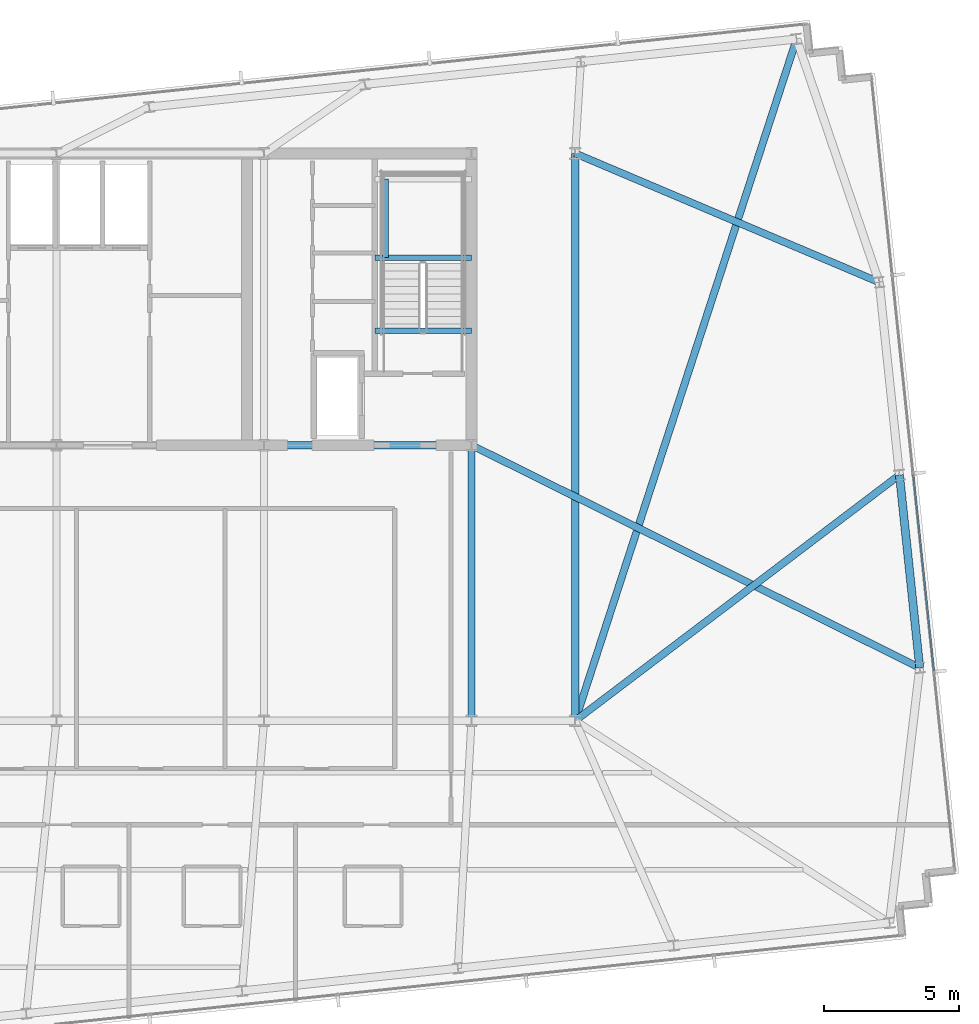
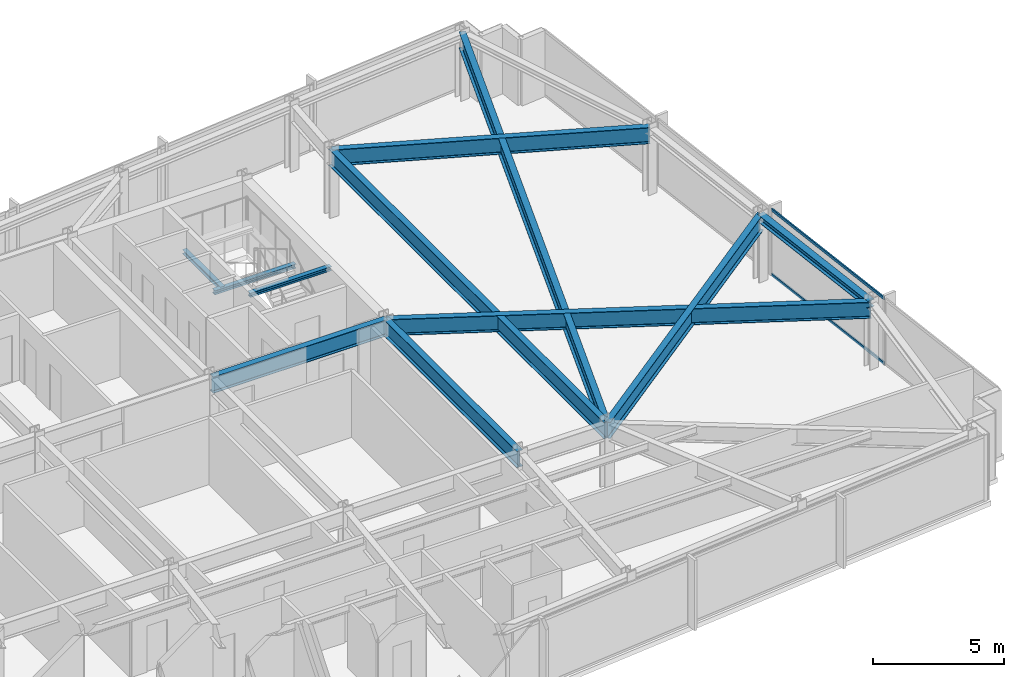
# One storey, part 18 of 33: 11 beams, 2 members, 1 element without a shape of its own.
"""IFC4 building model written with IfcOpenShell, lengths in metres."""

from ifc_helpers import new_model, si_unit, direction, frame, origin, origin_2d, place, context, subcontext, project, spatial, hollow_rectangle, i_section, extrude, material, material_profile, profile_set, type_object, element, aggregate, save


model = new_model("IFC4")

# Units and contexts
model_context = context("Model", 3, precision=1e-05, world=origin(), true_north=direction((0.0, 1.0)))
body_context = subcontext(model_context, "Body", "Model", "MODEL_VIEW")
ifc_project = project(units=[si_unit("LENGTHUNIT", "METRE"), si_unit("AREAUNIT", "SQUARE_METRE"), si_unit("VOLUMEUNIT", "CUBIC_METRE"), si_unit("PLANEANGLEUNIT", "RADIAN"), si_unit("MASSUNIT", "GRAM", prefix="KILO")], contexts=[model_context])

# Site, building, storey
site_placement = place(None, origin())
site = spatial("IfcSite", under=ifc_project, at=site_placement, CompositionType="ELEMENT")
building_placement = place(site_placement, origin())
building = spatial("IfcBuilding", under=site, at=building_placement, Name="Yelkora Congress Tower", CompositionType="ELEMENT")
storey_placement = place(building_placement, frame((0.0, 0.0, 230.89990234375)))
storey = spatial("IfcBuildingStorey", under=building, at=storey_placement, Name="L64", CompositionType="ELEMENT", Elevation=230.89990234375)

# Beams
ifc_material_1 = material(Name="Steel S355J2", Category="steel")
ifc_material_profile_1 = material_profile(ifc_material_1, i_section(OverallWidth=0.26708984375, OverallDepth=0.761962890625, WebThickness=0.014404296875, FlangeThickness=0.021484375, FilletRadius=0.01708984375, at=origin_2d()), Name="IPE 750x173")
ifc_profile_set_1 = profile_set([ifc_material_profile_1], Name="Steel S355J2")
beam_type_1 = type_object("IfcBeamType", Name="BM-GIRD-IPE750", PredefinedType="BEAM", material=ifc_profile_set_1)
beam_1_placement = place(storey_placement, frame((46.080078125, 35.39990234375, 2.69921875), z_axis=(1.0, 0.0, 0.0), x_axis=(0.0, 1.0, 0.0)))
element("IfcBeam", 1, at=beam_1_placement, inside=storey, type_object=beam_type_1, Name="L64 Core South Girder 4", PredefinedType="BEAM", context=body_context, shape_type="SweptSolid", body=[
    extrude(i_section(OverallWidth=0.26708984375, OverallDepth=0.761962890625, WebThickness=0.014404296875, FlangeThickness=0.021484375, FilletRadius=0.01708984375, at=origin_2d()), origin(), (0.0, 0.0, 1.0), 7.679931640625),
])
beam_2_placement = place(storey_placement, frame((53.760009765625, 25.199951171875, 2.69921875), z_axis=(0.0, 1.0, 0.0), x_axis=(-1.0, 0.0, 0.0)))
element("IfcBeam", 2, at=beam_2_placement, inside=storey, type_object=beam_type_1, Name="L64 Core Tie Girder MC-D5", PredefinedType="BEAM", context=body_context, shape_type="SweptSolid", body=[
    extrude(i_section(OverallWidth=0.26708984375, OverallDepth=0.761962890625, WebThickness=0.014404296875, FlangeThickness=0.021484375, FilletRadius=0.01708984375, at=origin_2d()), origin(), (0.0, 0.0, 1.0), 10.199951171875),
])
beam_3_placement = place(storey_placement, frame((57.60009765625, 25.199951171875, 2.69921875), z_axis=(0.0, 1.0, 0.0), x_axis=(-1.0, 0.0, 0.0)))
element("IfcBeam", 3, at=beam_3_placement, inside=storey, type_object=beam_type_1, Name="L64 Neck Flank Girder MC-F2", PredefinedType="BEAM", context=body_context, shape_type="SweptSolid", body=[
    extrude(i_section(OverallWidth=0.26708984375, OverallDepth=0.761962890625, WebThickness=0.014404296875, FlangeThickness=0.021484375, FilletRadius=0.01708984375, at=origin_2d()), origin(), (0.0, 0.0, 1.0), 21.0),
])
beam_4_placement = place(storey_placement, frame((65.7958984375, 50.4365234375, 2.69921875), z_axis=(-0.308878638672, -0.951101459663, 0.0), x_axis=(0.951101459663, -0.308878638672, 0.0)))
element("IfcBeam", 4, at=beam_4_placement, inside=storey, type_object=beam_type_1, Name="L64 Primary Frame Girder N07", PredefinedType="BEAM", context=body_context, shape_type="SweptSolid", body=[
    extrude(i_section(OverallWidth=0.26708984375, OverallDepth=0.761962890625, WebThickness=0.014404296875, FlangeThickness=0.021484375, FilletRadius=0.01708984375, at=origin_2d()), origin(), (0.0, 0.0, 1.0), 26.533935546875),
])
beam_5_placement = place(storey_placement, frame((70.35400390625, 27.160400390625, 2.69921875), z_axis=(-0.895665070913, 0.444729221826, 0.0), x_axis=(-0.444729221826, -0.895665070913, 0.0)))
element("IfcBeam", 5, at=beam_5_placement, inside=storey, type_object=beam_type_1, Name="L64 Primary Frame Girder E01", PredefinedType="BEAM", context=body_context, shape_type="SweptSolid", body=[
    extrude(i_section(OverallWidth=0.26708984375, OverallDepth=0.761962890625, WebThickness=0.014404296875, FlangeThickness=0.021484375, FilletRadius=0.01708984375, at=origin_2d()), origin(), (0.0, 0.0, 1.0), 18.527099609375),
])
beam_6_placement = place(storey_placement, frame((69.60400390625, 34.296142578125, 2.69921875), z_axis=(-0.797017901034, -0.603955681678, 0.0), x_axis=(0.603955681678, -0.797017901034, 0.0)))
element("IfcBeam", 6, at=beam_6_placement, inside=storey, type_object=beam_type_1, Name="L64 Primary Frame Girder E02", PredefinedType="BEAM", context=body_context, shape_type="SweptSolid", body=[
    extrude(i_section(OverallWidth=0.26708984375, OverallDepth=0.761962890625, WebThickness=0.014404296875, FlangeThickness=0.021484375, FilletRadius=0.01708984375, at=origin_2d()), origin(), (0.0, 0.0, 1.0), 15.06103515625),
])
beam_7_placement = place(storey_placement, frame((68.85400390625, 41.431884765625, 2.69921875), z_axis=(-0.920767530621, 0.390111720606, 0.0), x_axis=(-0.390111720606, -0.920767530621, 0.0)))
element("IfcBeam", 7, at=beam_7_placement, inside=storey, type_object=beam_type_1, Name="L64 Primary Frame Girder E03", PredefinedType="BEAM", context=body_context, shape_type="SweptSolid", body=[
    extrude(i_section(OverallWidth=0.26708984375, OverallDepth=0.761962890625, WebThickness=0.014404296875, FlangeThickness=0.021484375, FilletRadius=0.01708984375, at=origin_2d()), origin(), (0.0, 0.0, 1.0), 12.222412109375),
])
ifc_material_profile_2 = material_profile(ifc_material_1, i_section(OverallWidth=0.199951171875, OverallDepth=0.18994140625, WebThickness=0.006591796875, FlangeThickness=0.010009765625, FilletRadius=0.01806640625, at=origin_2d()), Name="HEA 200")
ifc_profile_set_2 = profile_set([ifc_material_profile_2], Name="Steel S355J2")
beam_type_2 = type_object("IfcBeamType", Name="BM-LAND-HEA200", PredefinedType="BEAM", material=ifc_profile_set_2)
beam_8_placement = place(storey_placement, frame((50.179931640625, 42.340087890625, 1.334716796875), z_axis=(1.0, 0.0, 0.0), x_axis=(0.0, 1.0, 0.0)))
element("IfcBeam", 8, at=beam_8_placement, inside=storey, type_object=beam_type_2, Name="ST-02 L64 Landing Header Beam 1S", PredefinedType="BEAM", context=body_context, shape_type="SweptSolid", body=[
    extrude(i_section(OverallWidth=0.199951171875, OverallDepth=0.18994140625, WebThickness=0.006591796875, FlangeThickness=0.010009765625, FilletRadius=0.01806640625, at=origin_2d()), origin(), (0.0, 0.0, 1.0), 3.580078125),
])
beam_9_placement = place(storey_placement, frame((50.580078125, 42.340087890625, 1.334716796875), z_axis=(0.0, 1.0, 0.0), x_axis=(-1.0, 0.0, 0.0)))
element("IfcBeam", 9, at=beam_9_placement, inside=storey, type_object=beam_type_2, Name="ST-02 L64 Landing Trimmer Beam 1M", PredefinedType="BEAM", context=body_context, shape_type="SweptSolid", body=[
    extrude(i_section(OverallWidth=0.199951171875, OverallDepth=0.18994140625, WebThickness=0.006591796875, FlangeThickness=0.010009765625, FilletRadius=0.01806640625, at=origin_2d()), origin(), (0.0, 0.0, 1.0), 2.909912109375),
])
beam_10_placement = place(storey_placement, frame((50.179931640625, 39.639892578125, 2.85400390625), z_axis=(1.0, 0.0, 0.0), x_axis=(0.0, 1.0, 0.0)))
element("IfcBeam", 10, at=beam_10_placement, inside=storey, type_object=beam_type_2, Name="ST-02 L64 Floor Arrival Stringer Header Beam", PredefinedType="BEAM", context=body_context, shape_type="SweptSolid", body=[
    extrude(i_section(OverallWidth=0.199951171875, OverallDepth=0.18994140625, WebThickness=0.006591796875, FlangeThickness=0.010009765625, FilletRadius=0.01806640625, at=origin_2d()), origin(), (0.0, 0.0, 1.0), 3.580078125),
])
ifc_material_profile_3 = material_profile(ifc_material_1, i_section(OverallWidth=0.300048828125, OverallDepth=0.340087890625, WebThickness=0.011962890625, FlangeThickness=0.021484375, FilletRadius=0.027099609375, at=origin_2d()), Name="HEB 340")
ifc_profile_set_3 = profile_set([ifc_material_profile_3], Name="Steel S355J2")
beam_type_3 = type_object("IfcBeamType", Name="BM-SPAN-HEB340", PredefinedType="SPANDREL", material=ifc_profile_set_3)
beam_11_placement = place(storey_placement, frame((70.35400390625, 27.160400390625, 2.91015625), z_axis=(-0.104528914631, 0.994521847928, 0.0), x_axis=(-0.994521847928, -0.104528914631, 0.0)))
element("IfcBeam", 11, at=beam_11_placement, inside=storey, type_object=beam_type_3, Name="L64 Perimeter Beam 10", PredefinedType="SPANDREL", context=body_context, shape_type="SweptSolid", body=[
    extrude(i_section(OverallWidth=0.300048828125, OverallDepth=0.340087890625, WebThickness=0.011962890625, FlangeThickness=0.021484375, FilletRadius=0.027099609375, at=origin_2d()), origin(), (0.0, 0.0, 1.0), 7.175048828125),
])

# Curtain wall, members
ifc_material_2 = material(Name="Anodised aluminium and insulated glass", Category="aluminium")
curtain_wall_type = type_object("IfcCurtainWallType", Name="CW-SYS-B4", PredefinedType="NOTDEFINED", material=ifc_material_2)
curtain_wall_placement = place(storey_placement, origin())
curtain_wall = element("IfcCurtainWall", 12, at=curtain_wall_placement, inside=storey, type_object=curtain_wall_type, Name="L64 Unitised Curtain Wall 15", PredefinedType="NOTDEFINED")
ifc_material_3 = material(Name="Anodised aluminium 6063-T6", Category="aluminium")
ifc_material_profile_4 = material_profile(ifc_material_3, hollow_rectangle(XDim=0.06005859375, YDim=0.1298828125, WallThickness=0.00390625, at=origin_2d()), Name="ALU 60x130x4")
ifc_profile_set_4 = profile_set([ifc_material_profile_4], Name="Anodised aluminium 6063-T6")
member_type = type_object("IfcMemberType", Name="MEM-TR-B4", PredefinedType="USERDEFINED", material=ifc_profile_set_4)
member_1_placement = place(storey_placement, frame((70.114501953125, 34.317138671875, 0.030029296875), z_axis=(0.104531896307, -0.994521534535, 0.0), x_axis=(0.994521534535, 0.104531896307, 0.0)))
member_1 = element("IfcMember", 13, at=member_1_placement, type_object=member_type, Name="CW-B4 transom 3.1", ObjectType="TRANSOM", PredefinedType="USERDEFINED", context=body_context, shape_type="SweptSolid", body=[
    extrude(hollow_rectangle(XDim=0.06005859375, YDim=0.1298828125, WallThickness=0.00390625, at=origin_2d()), origin(), (0.0, 0.0, 1.0), 7.31494140625),
])
member_2_placement = place(storey_placement, frame((70.114501953125, 34.317138671875, 3.050048828125), z_axis=(0.104531896307, -0.994521534535, 0.0), x_axis=(0.994521534535, 0.104531896307, 0.0)))
member_2 = element("IfcMember", 14, at=member_2_placement, type_object=member_type, Name="CW-B4 transom 3.2", ObjectType="TRANSOM", PredefinedType="USERDEFINED", context=body_context, shape_type="SweptSolid", body=[
    extrude(hollow_rectangle(XDim=0.06005859375, YDim=0.1298828125, WallThickness=0.00390625, at=origin_2d()), origin(), (0.0, 0.0, 1.0), 7.31494140625),
])
aggregate(curtain_wall, [member_1, member_2])

save(model, "model.ifc")
